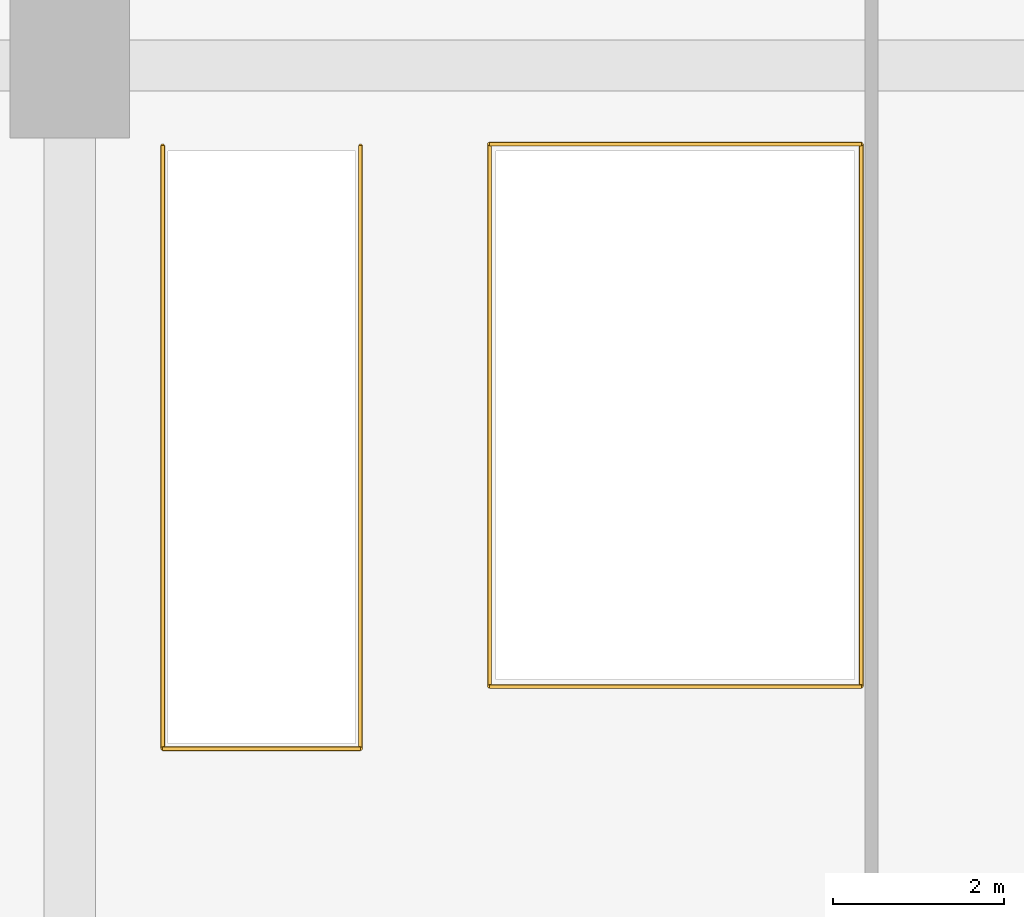
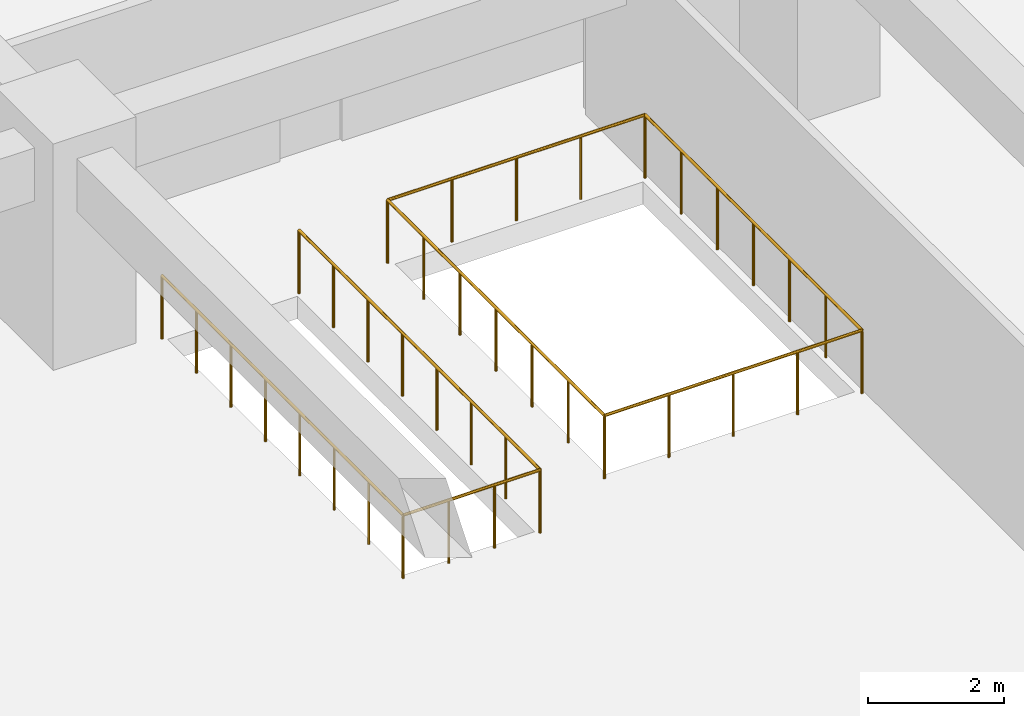
# One storey, part 5 of 7: 7 railings.
"""IFC4 building model written with IfcOpenShell, lengths in metres."""

from ifc_helpers import new_model, si_unit, direction, frame, origin, origin_2d, place, context, subcontext, project, spatial, circle, extrude, material, type_object, element, save


model = new_model("IFC4")

# Units and contexts
model_context = context("Model", 3, precision=1e-05, world=origin(), true_north=direction((0.0, 1.0)))
body_context = subcontext(model_context, "Body", "Model", "MODEL_VIEW")
ifc_project = project(units=[si_unit("LENGTHUNIT", "METRE"), si_unit("AREAUNIT", "SQUARE_METRE"), si_unit("VOLUMEUNIT", "CUBIC_METRE"), si_unit("PLANEANGLEUNIT", "RADIAN"), si_unit("MASSUNIT", "GRAM", prefix="KILO")], contexts=[model_context])

# Site, building, storey
site_placement = place(None, origin())
site = spatial("IfcSite", under=ifc_project, at=site_placement, CompositionType="ELEMENT")
building_placement = place(site_placement, origin())
building = spatial("IfcBuilding", under=site, at=building_placement, Name="Sulina Concourse Tower", CompositionType="ELEMENT")
storey_placement = place(building_placement, frame((0.0, 0.0, 13.5)))
storey = spatial("IfcBuildingStorey", under=building, at=storey_placement, Name="L03", CompositionType="ELEMENT", Elevation=13.5)

# Railings
ifc_material = material(Name="Laminated glass balustrade and bronze rail", Category="glass")
railing_type = type_object("IfcRailingType", Name="Concourse & Sky-Lobby Mezzanine Balustrade 1150mm", PredefinedType="BALUSTRADE", material=ifc_material)
for number, where, name in (
    (1, (30.090087890625, 9.989990234375, 0.0), "L03 feature stair well balustrade ST-CONC-3-HW"),
    (2, (32.409912109375, 9.989990234375, 0.0), "L03 feature stair well balustrade ST-CONC-3-HE"),
):
    element("IfcRailing", number, at=place(storey_placement, frame(where)), inside=storey, type_object=railing_type, Name=name, PredefinedType="BALUSTRADE", context=body_context, shape_type="SweptSolid", body=[
        extrude(circle(Radius=0.02490234375, at=origin_2d()), frame((0.0, 0.0, 1.125), z_axis=(0.0, 1.0, 0.0), x_axis=(-1.0, 0.0, 0.0)), (0.0, 0.0, 1.0), 7.070068359375),
        extrude(circle(Radius=0.02099609375, at=origin_2d()), origin(), (0.0, 0.0, 1.0), 1.099853515625),
        extrude(circle(Radius=0.02099609375, at=origin_2d()), frame((0.0, 1.010009765625, 0.0)), (0.0, 0.0, 1.0), 1.099853515625),
        extrude(circle(Radius=0.02099609375, at=origin_2d()), frame((0.0, 2.02001953125, 0.0)), (0.0, 0.0, 1.0), 1.099853515625),
        extrude(circle(Radius=0.02099609375, at=origin_2d()), frame((0.0, 3.030029296875, 0.0)), (0.0, 0.0, 1.0), 1.099853515625),
        extrude(circle(Radius=0.02099609375, at=origin_2d()), frame((0.0, 4.0400390625, 0.0)), (0.0, 0.0, 1.0), 1.099853515625),
        extrude(circle(Radius=0.02099609375, at=origin_2d()), frame((0.0, 5.050048828125, 0.0)), (0.0, 0.0, 1.0), 1.099853515625),
        extrude(circle(Radius=0.02099609375, at=origin_2d()), frame((0.0, 6.06005859375, 0.0)), (0.0, 0.0, 1.0), 1.099853515625),
        extrude(circle(Radius=0.02099609375, at=origin_2d()), frame((0.0, 7.070068359375, 0.0)), (0.0, 0.0, 1.0), 1.099853515625),
    ])
railing_placement = place(storey_placement, frame((30.090087890625, 9.989990234375, 0.0)))
element("IfcRailing", 3, at=railing_placement, inside=storey, type_object=railing_type, Name="L03 feature stair well balustrade ST-CONC-3-HS", PredefinedType="BALUSTRADE", context=body_context, shape_type="SweptSolid", body=[
    extrude(circle(Radius=0.02490234375, at=origin_2d()), frame((0.0, 0.0, 1.125), z_axis=(1.0, 0.0, 0.0), x_axis=(0.0, 1.0, 0.0)), (0.0, 0.0, 1.0), 2.31982421875),
    extrude(circle(Radius=0.02099609375, at=origin_2d()), origin(), (0.0, 0.0, 1.0), 1.099853515625),
    extrude(circle(Radius=0.02099609375, at=origin_2d()), frame((0.773193359375, 0.0, 0.0)), (0.0, 0.0, 1.0), 1.099853515625),
    extrude(circle(Radius=0.02099609375, at=origin_2d()), frame((1.546630859375, 0.0, 0.0)), (0.0, 0.0, 1.0), 1.099853515625),
    extrude(circle(Radius=0.02099609375, at=origin_2d()), frame((2.31982421875, 0.0, 0.0)), (0.0, 0.0, 1.0), 1.099853515625),
])
for number, where, name in (
    (4, (33.919921875, 10.719970703125, 0.0), "L03 concourse escalator void balustrade VW"),
    (5, (38.280029296875, 10.719970703125, 0.0), "L03 concourse escalator void balustrade VE"),
):
    element("IfcRailing", number, at=place(storey_placement, frame(where)), inside=storey, type_object=railing_type, Name=name, PredefinedType="BALUSTRADE", context=body_context, shape_type="SweptSolid", body=[
        extrude(circle(Radius=0.02490234375, at=origin_2d()), frame((0.0, 0.0, 1.125), z_axis=(0.0, 1.0, 0.0), x_axis=(-1.0, 0.0, 0.0)), (0.0, 0.0, 1.0), 6.360107421875),
        extrude(circle(Radius=0.02099609375, at=origin_2d()), origin(), (0.0, 0.0, 1.0), 1.099853515625),
        extrude(circle(Radius=0.02099609375, at=origin_2d()), frame((0.0, 1.06005859375, 0.0)), (0.0, 0.0, 1.0), 1.099853515625),
        extrude(circle(Radius=0.02099609375, at=origin_2d()), frame((0.0, 2.1201171875, 0.0)), (0.0, 0.0, 1.0), 1.099853515625),
        extrude(circle(Radius=0.02099609375, at=origin_2d()), frame((0.0, 3.18017578125, 0.0)), (0.0, 0.0, 1.0), 1.099853515625),
        extrude(circle(Radius=0.02099609375, at=origin_2d()), frame((0.0, 4.239990234375, 0.0)), (0.0, 0.0, 1.0), 1.099853515625),
        extrude(circle(Radius=0.02099609375, at=origin_2d()), frame((0.0, 5.300048828125, 0.0)), (0.0, 0.0, 1.0), 1.099853515625),
        extrude(circle(Radius=0.02099609375, at=origin_2d()), frame((0.0, 6.360107421875, 0.0)), (0.0, 0.0, 1.0), 1.099853515625),
    ])
for number, where, name in (
    (6, (33.919921875, 10.719970703125, 0.0), "L03 concourse escalator void balustrade VS"),
    (7, (33.919921875, 17.080078125, 0.0), "L03 concourse escalator void balustrade VN"),
):
    element("IfcRailing", number, at=place(storey_placement, frame(where)), inside=storey, type_object=railing_type, Name=name, PredefinedType="BALUSTRADE", context=body_context, shape_type="SweptSolid", body=[
        extrude(circle(Radius=0.02490234375, at=origin_2d()), frame((0.0, 0.0, 1.125), z_axis=(1.0, 0.0, 0.0), x_axis=(0.0, 1.0, 0.0)), (0.0, 0.0, 1.0), 4.360107421875),
        extrude(circle(Radius=0.02099609375, at=origin_2d()), origin(), (0.0, 0.0, 1.0), 1.099853515625),
        extrude(circle(Radius=0.02099609375, at=origin_2d()), frame((1.090087890625, 0.0, 0.0)), (0.0, 0.0, 1.0), 1.099853515625),
        extrude(circle(Radius=0.02099609375, at=origin_2d()), frame((2.18017578125, 0.0, 0.0)), (0.0, 0.0, 1.0), 1.099853515625),
        extrude(circle(Radius=0.02099609375, at=origin_2d()), frame((3.27001953125, 0.0, 0.0)), (0.0, 0.0, 1.0), 1.099853515625),
        extrude(circle(Radius=0.02099609375, at=origin_2d()), frame((4.360107421875, 0.0, 0.0)), (0.0, 0.0, 1.0), 1.099853515625),
    ])

save(model, "model.ifc")
